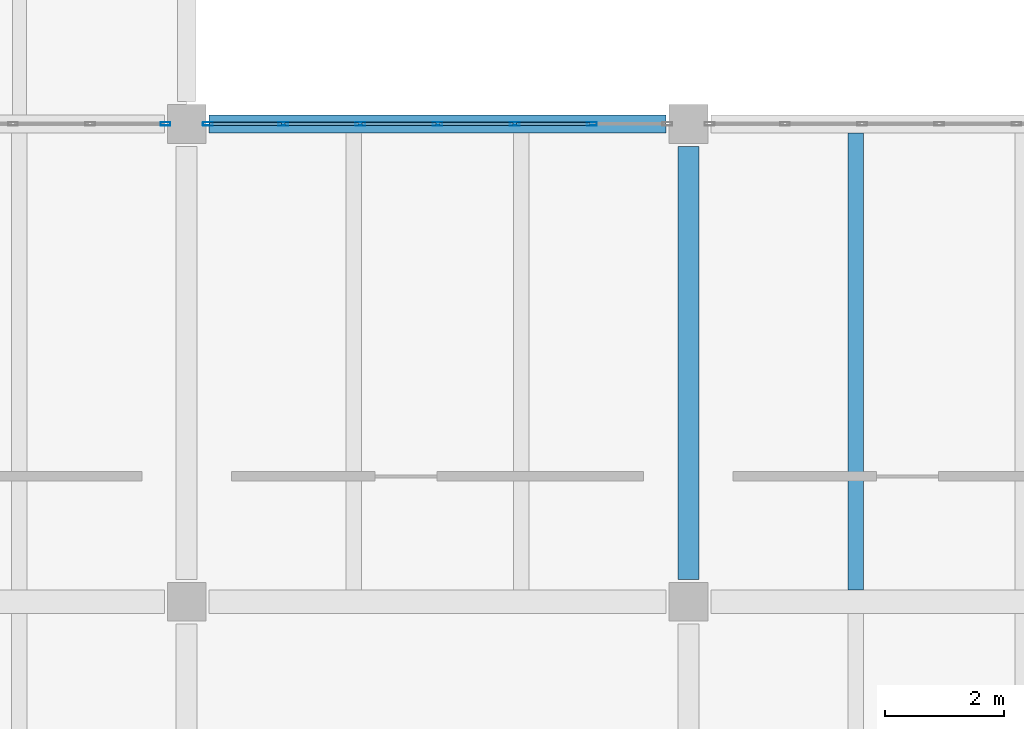
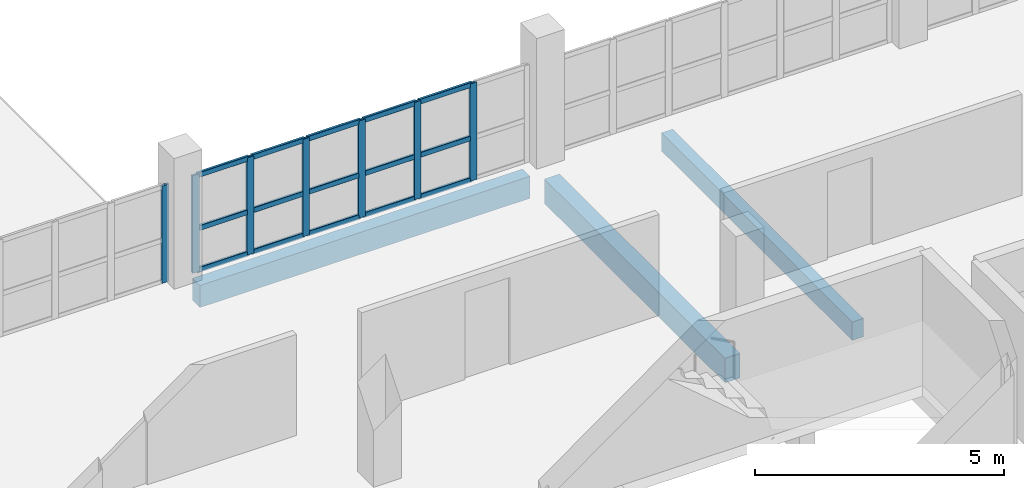
# One storey, part 12 of 33: 22 members, 3 beams, 2 elements without a shape of their own.
"""IFC4 building model written with IfcOpenShell, lengths in metres."""

from ifc_helpers import new_model, si_unit, direction, frame, origin, origin_2d, place, context, subcontext, project, spatial, rectangle, hollow_rectangle, extrude, material, layer, layer_set, material_profile, profile_set, type_object, element, aggregate, save


model = new_model("IFC4")

# Units and contexts
model_context = context("Model", 3, precision=1e-05, world=origin(), true_north=direction((0.0, 1.0)))
body_context = subcontext(model_context, "Body", "Model", "MODEL_VIEW")
ifc_project = project(units=[si_unit("LENGTHUNIT", "METRE"), si_unit("AREAUNIT", "SQUARE_METRE"), si_unit("VOLUMEUNIT", "CUBIC_METRE"), si_unit("PLANEANGLEUNIT", "RADIAN"), si_unit("MASSUNIT", "GRAM", prefix="KILO"), si_unit("THERMODYNAMICTEMPERATUREUNIT", "KELVIN"), si_unit("POWERUNIT", "WATT")], contexts=[model_context])

# Site, building, storey
site_placement = place(None, origin())
site = spatial("IfcSite", under=ifc_project, at=site_placement, CompositionType="ELEMENT")
building_placement = place(site_placement, origin())
building = spatial("IfcBuilding", under=site, at=building_placement, Name="Mavoryth Pier Ferry Terminal", CompositionType="ELEMENT")
storey_placement = place(building_placement, frame((0.0, 0.0, 13.1201171875)))
storey = spatial("IfcBuildingStorey", under=building, at=storey_placement, Name="L03", CompositionType="ELEMENT", Elevation=13.1201171875)

# Beams
ifc_material_1 = material(Name="Concrete C35/45", Category="concrete")
ifc_material_profile_1 = material_profile(ifc_material_1, rectangle(XDim=0.35009765625, YDim=0.60009765625, at=origin_2d()), Name="RC 350x600", Category="concrete")
ifc_profile_set_1 = profile_set([ifc_material_profile_1], Name="Concrete C35/45 - RC 350x600")
beam_type_1 = type_object("IfcBeamType", Name="Girder-RC-350x600", PredefinedType="BEAM", material=ifc_profile_set_1)
beam_1_placement = place(storey_placement, frame((67.199951171875, 14.375, -0.56005859375), z_axis=(0.0, 1.0, 0.0), x_axis=(-1.0, 0.0, 0.0)))
element("IfcBeam", 1, at=beam_1_placement, inside=storey, type_object=beam_type_1, Name="Beam B03-BG08-1268", PredefinedType="BEAM", context=body_context, shape_type="SweptSolid", body=[
    extrude(rectangle(XDim=0.35009765625, YDim=0.60009765625, at=origin_2d()), origin(), (0.0, 0.0, 1.0), 7.25),
])
ifc_material_profile_2 = material_profile(ifc_material_1, rectangle(XDim=0.260009765625, YDim=0.449951171875, at=origin_2d()), Name="RC 260x450", Category="concrete")
ifc_profile_set_2 = profile_set([ifc_material_profile_2], Name="Concrete C35/45 - RC 260x450")
beam_type_2 = type_object("IfcBeamType", Name="Joist-RC-260x450", PredefinedType="JOIST", material=ifc_profile_set_2)
beam_2_placement = place(storey_placement, frame((70.0, 14.199951171875, -0.485107421875), z_axis=(0.0, 1.0, 0.0), x_axis=(-1.0, 0.0, 0.0)))
element("IfcBeam", 2, at=beam_2_placement, inside=storey, type_object=beam_type_2, Name="Beam B03-BJ03-1296", PredefinedType="JOIST", context=body_context, shape_type="SweptSolid", body=[
    extrude(rectangle(XDim=0.260009765625, YDim=0.449951171875, at=origin_2d()), origin(), (0.0, 0.0, 1.0), 7.650146484375),
])

# Curtain wall, member
ifc_material_2 = material(Name="Anodised Aluminium and Solar-Control Low-E Glass", Category="aluminium")
ifc_layer = layer(ifc_material_2, 0.239990234375, Name="Anodised Aluminium and Solar-Control Low-E Glass", Category="aluminium")
ifc_layer_set = layer_set([ifc_layer], Name="Anodised Aluminium and Solar-Control Low-E Glass - CW-Operations-Mod1200")
curtain_wall_type = type_object("IfcCurtainWallType", Name="CW-Operations-Mod1200", PredefinedType="USERDEFINED", material=ifc_layer_set)
curtain_wall_1_placement = place(storey_placement, origin())
curtain_wall_1 = element("IfcCurtainWall", 3, at=curtain_wall_1_placement, inside=storey, type_object=curtain_wall_type, Name="Curtain Wall CW-0322-139", ObjectType="UNITISED CURTAIN WALL", PredefinedType="USERDEFINED")
ifc_material_3 = material(Name="Anodised Aluminium EN AW-6063", Category="aluminium")
ifc_material_profile_3 = material_profile(ifc_material_3, hollow_rectangle(XDim=0.06005859375, YDim=0.1650390625, WallThickness=0.00390625, InnerFilletRadius=0.00390625, OuterFilletRadius=0.008056640625, at=origin_2d()), Name="AL-MULL 165x60x4", Category="aluminium")
ifc_profile_set_3 = profile_set([ifc_material_profile_3], Name="Anodised Aluminium EN AW-6063 - AL-MULL 165x60x4")
member_type_1 = type_object("IfcMemberType", Name="Mullion-Alum-165x60", PredefinedType="MULLION", material=ifc_profile_set_3)
member_1_placement = place(storey_placement, frame((58.445068359375, 22.0, 0.0), z_axis=(0.0, 0.0, 1.0), x_axis=(0.0, -1.0, 0.0)))
member_1 = element("IfcMember", 4, at=member_1_placement, type_object=member_type_1, Name="CW06 mullion 1", PredefinedType="MULLION", context=body_context, shape_type="SweptSolid", body=[
    extrude(hollow_rectangle(XDim=0.06005859375, YDim=0.1650390625, WallThickness=0.00390625, InnerFilletRadius=0.00390625, OuterFilletRadius=0.008056640625, at=origin_2d()), origin(), (0.0, 0.0, 1.0), 2.384765625),
])
aggregate(curtain_wall_1, [member_1])

# Curtain wall, members
curtain_wall_2_placement = place(storey_placement, origin())
curtain_wall_2 = element("IfcCurtainWall", 5, at=curtain_wall_2_placement, inside=storey, type_object=curtain_wall_type, Name="Curtain Wall CW-0322-141", ObjectType="UNITISED CURTAIN WALL", PredefinedType="USERDEFINED")
member_2_placement = place(storey_placement, frame((65.583251953125, 22.0, 0.0), z_axis=(0.0, 0.0, 1.0), x_axis=(0.0, -1.0, 0.0)))
member_2 = element("IfcMember", 6, at=member_2_placement, type_object=member_type_1, Name="CW06 mullion 2", PredefinedType="MULLION", context=body_context, shape_type="SweptSolid", body=[
    extrude(hollow_rectangle(XDim=0.06005859375, YDim=0.1650390625, WallThickness=0.00390625, InnerFilletRadius=0.00390625, OuterFilletRadius=0.008056640625, at=origin_2d()), origin(), (0.0, 0.0, 1.0), 2.384765625),
])
member_3_placement = place(storey_placement, frame((64.291748046875, 22.0, 0.0), z_axis=(0.0, 0.0, 1.0), x_axis=(0.0, -1.0, 0.0)))
member_3 = element("IfcMember", 7, at=member_3_placement, type_object=member_type_1, Name="CW06 mullion 3", PredefinedType="MULLION", context=body_context, shape_type="SweptSolid", body=[
    extrude(hollow_rectangle(XDim=0.06005859375, YDim=0.1650390625, WallThickness=0.00390625, InnerFilletRadius=0.00390625, OuterFilletRadius=0.008056640625, at=origin_2d()), origin(), (0.0, 0.0, 1.0), 2.384765625),
])
member_4_placement = place(storey_placement, frame((63.0, 22.0, 0.0), z_axis=(0.0, 0.0, 1.0), x_axis=(0.0, -1.0, 0.0)))
member_4 = element("IfcMember", 8, at=member_4_placement, type_object=member_type_1, Name="CW06 mullion 4", PredefinedType="MULLION", context=body_context, shape_type="SweptSolid", body=[
    extrude(hollow_rectangle(XDim=0.06005859375, YDim=0.1650390625, WallThickness=0.00390625, InnerFilletRadius=0.00390625, OuterFilletRadius=0.008056640625, at=origin_2d()), origin(), (0.0, 0.0, 1.0), 2.384765625),
])
member_5_placement = place(storey_placement, frame((61.708251953125, 22.0, 0.0), z_axis=(0.0, 0.0, 1.0), x_axis=(0.0, -1.0, 0.0)))
member_5 = element("IfcMember", 9, at=member_5_placement, type_object=member_type_1, Name="CW06 mullion 5", PredefinedType="MULLION", context=body_context, shape_type="SweptSolid", body=[
    extrude(hollow_rectangle(XDim=0.06005859375, YDim=0.1650390625, WallThickness=0.00390625, InnerFilletRadius=0.00390625, OuterFilletRadius=0.008056640625, at=origin_2d()), origin(), (0.0, 0.0, 1.0), 2.384765625),
])
member_6_placement = place(storey_placement, frame((60.416748046875, 22.0, 0.0), z_axis=(0.0, 0.0, 1.0), x_axis=(0.0, -1.0, 0.0)))
member_6 = element("IfcMember", 10, at=member_6_placement, type_object=member_type_1, Name="CW06 mullion 6", PredefinedType="MULLION", context=body_context, shape_type="SweptSolid", body=[
    extrude(hollow_rectangle(XDim=0.06005859375, YDim=0.1650390625, WallThickness=0.00390625, InnerFilletRadius=0.00390625, OuterFilletRadius=0.008056640625, at=origin_2d()), origin(), (0.0, 0.0, 1.0), 2.384765625),
])
member_7_placement = place(storey_placement, frame((59.155029296875, 22.0, 0.0), z_axis=(0.0, 0.0, 1.0), x_axis=(0.0, -1.0, 0.0)))
member_7 = element("IfcMember", 11, at=member_7_placement, type_object=member_type_1, Name="CW06 mullion 7", PredefinedType="MULLION", context=body_context, shape_type="SweptSolid", body=[
    extrude(hollow_rectangle(XDim=0.06005859375, YDim=0.1650390625, WallThickness=0.00390625, InnerFilletRadius=0.00390625, OuterFilletRadius=0.008056640625, at=origin_2d()), origin(), (0.0, 0.0, 1.0), 2.384765625),
])

# Beam
ifc_material_profile_4 = material_profile(ifc_material_1, rectangle(XDim=0.300048828125, YDim=0.5400390625, at=origin_2d()), Name="RC 300x540", Category="concrete")
ifc_profile_set_4 = profile_set([ifc_material_profile_4], Name="Concrete C35/45 - RC 300x540")
beam_type_3 = type_object("IfcBeamType", Name="Spandrel-RC-300x540", PredefinedType="SPANDREL", material=ifc_profile_set_4)
beam_3_placement = place(storey_placement, frame((59.175048828125, 22.0, -0.530029296875), z_axis=(1.0, 0.0, 0.0), x_axis=(0.0, 1.0, 0.0)))
element("IfcBeam", 12, at=beam_3_placement, inside=storey, type_object=beam_type_3, Name="Beam B03-SP02-1253", PredefinedType="SPANDREL", context=body_context, shape_type="SweptSolid", body=[
    extrude(rectangle(XDim=0.300048828125, YDim=0.5400390625, at=origin_2d()), origin(), (0.0, 0.0, 1.0), 7.64990234375),
])

# Member
ifc_material_profile_5 = material_profile(ifc_material_3, hollow_rectangle(XDim=0.06005859375, YDim=0.125, WallThickness=0.00390625, InnerFilletRadius=0.00390625, OuterFilletRadius=0.008056640625, at=origin_2d()), Name="AL-TRAN 125x60x4", Category="aluminium")
ifc_profile_set_5 = profile_set([ifc_material_profile_5], Name="Anodised Aluminium EN AW-6063 - AL-TRAN 125x60x4")
member_type_2 = type_object("IfcMemberType", Name="Transom-Alum-125x60", PredefinedType="USERDEFINED", material=ifc_profile_set_5)
member_8_placement = place(storey_placement, frame((65.55322265625, 22.0, 0.02978515625), z_axis=(-1.0, 0.0, 0.0), x_axis=(0.0, -1.0, 0.0)))
member_8 = element("IfcMember", 13, at=member_8_placement, type_object=member_type_2, Name="CW06 transom 2.1", ObjectType="TRANSOM", PredefinedType="USERDEFINED", context=body_context, shape_type="SweptSolid", body=[
    extrude(hollow_rectangle(XDim=0.06005859375, YDim=0.125, WallThickness=0.00390625, InnerFilletRadius=0.00390625, OuterFilletRadius=0.008056640625, at=origin_2d()), origin(), (0.0, 0.0, 1.0), 1.2314453125),
])

member_9_placement = place(storey_placement, frame((65.55322265625, 22.0, 1.0498046875), z_axis=(-1.0, 0.0, 0.0), x_axis=(0.0, -1.0, 0.0)))
member_9 = element("IfcMember", 14, at=member_9_placement, type_object=member_type_2, Name="CW06 transom 2.2", ObjectType="TRANSOM", PredefinedType="USERDEFINED", context=body_context, shape_type="SweptSolid", body=[
    extrude(hollow_rectangle(XDim=0.06005859375, YDim=0.125, WallThickness=0.00390625, InnerFilletRadius=0.00390625, OuterFilletRadius=0.008056640625, at=origin_2d()), origin(), (0.0, 0.0, 1.0), 1.2314453125),
])

member_10_placement = place(storey_placement, frame((65.55322265625, 22.0, 2.35498046875), z_axis=(-1.0, 0.0, 0.0), x_axis=(0.0, -1.0, 0.0)))
member_10 = element("IfcMember", 15, at=member_10_placement, type_object=member_type_2, Name="CW06 transom 2.3", ObjectType="TRANSOM", PredefinedType="USERDEFINED", context=body_context, shape_type="SweptSolid", body=[
    extrude(hollow_rectangle(XDim=0.06005859375, YDim=0.125, WallThickness=0.00390625, InnerFilletRadius=0.00390625, OuterFilletRadius=0.008056640625, at=origin_2d()), origin(), (0.0, 0.0, 1.0), 1.2314453125),
])

member_11_placement = place(storey_placement, frame((64.26171875, 22.0, 0.02978515625), z_axis=(-1.0, 0.0, 0.0), x_axis=(0.0, -1.0, 0.0)))
member_11 = element("IfcMember", 16, at=member_11_placement, type_object=member_type_2, Name="CW06 transom 3.1", ObjectType="TRANSOM", PredefinedType="USERDEFINED", context=body_context, shape_type="SweptSolid", body=[
    extrude(hollow_rectangle(XDim=0.06005859375, YDim=0.125, WallThickness=0.00390625, InnerFilletRadius=0.00390625, OuterFilletRadius=0.008056640625, at=origin_2d()), origin(), (0.0, 0.0, 1.0), 1.231689453125),
])

member_12_placement = place(storey_placement, frame((64.26171875, 22.0, 1.0498046875), z_axis=(-1.0, 0.0, 0.0), x_axis=(0.0, -1.0, 0.0)))
member_12 = element("IfcMember", 17, at=member_12_placement, type_object=member_type_2, Name="CW06 transom 3.2", ObjectType="TRANSOM", PredefinedType="USERDEFINED", context=body_context, shape_type="SweptSolid", body=[
    extrude(hollow_rectangle(XDim=0.06005859375, YDim=0.125, WallThickness=0.00390625, InnerFilletRadius=0.00390625, OuterFilletRadius=0.008056640625, at=origin_2d()), origin(), (0.0, 0.0, 1.0), 1.231689453125),
])

member_13_placement = place(storey_placement, frame((64.26171875, 22.0, 2.35498046875), z_axis=(-1.0, 0.0, 0.0), x_axis=(0.0, -1.0, 0.0)))
member_13 = element("IfcMember", 18, at=member_13_placement, type_object=member_type_2, Name="CW06 transom 3.3", ObjectType="TRANSOM", PredefinedType="USERDEFINED", context=body_context, shape_type="SweptSolid", body=[
    extrude(hollow_rectangle(XDim=0.06005859375, YDim=0.125, WallThickness=0.00390625, InnerFilletRadius=0.00390625, OuterFilletRadius=0.008056640625, at=origin_2d()), origin(), (0.0, 0.0, 1.0), 1.231689453125),
])

member_14_placement = place(storey_placement, frame((62.969970703125, 22.0, 0.02978515625), z_axis=(-1.0, 0.0, 0.0), x_axis=(0.0, -1.0, 0.0)))
member_14 = element("IfcMember", 19, at=member_14_placement, type_object=member_type_2, Name="CW06 transom 4.1", ObjectType="TRANSOM", PredefinedType="USERDEFINED", context=body_context, shape_type="SweptSolid", body=[
    extrude(hollow_rectangle(XDim=0.06005859375, YDim=0.125, WallThickness=0.00390625, InnerFilletRadius=0.00390625, OuterFilletRadius=0.008056640625, at=origin_2d()), origin(), (0.0, 0.0, 1.0), 1.231689453125),
])

member_15_placement = place(storey_placement, frame((62.969970703125, 22.0, 1.0498046875), z_axis=(-1.0, 0.0, 0.0), x_axis=(0.0, -1.0, 0.0)))
member_15 = element("IfcMember", 20, at=member_15_placement, type_object=member_type_2, Name="CW06 transom 4.2", ObjectType="TRANSOM", PredefinedType="USERDEFINED", context=body_context, shape_type="SweptSolid", body=[
    extrude(hollow_rectangle(XDim=0.06005859375, YDim=0.125, WallThickness=0.00390625, InnerFilletRadius=0.00390625, OuterFilletRadius=0.008056640625, at=origin_2d()), origin(), (0.0, 0.0, 1.0), 1.231689453125),
])

member_16_placement = place(storey_placement, frame((62.969970703125, 22.0, 2.35498046875), z_axis=(-1.0, 0.0, 0.0), x_axis=(0.0, -1.0, 0.0)))
member_16 = element("IfcMember", 21, at=member_16_placement, type_object=member_type_2, Name="CW06 transom 4.3", ObjectType="TRANSOM", PredefinedType="USERDEFINED", context=body_context, shape_type="SweptSolid", body=[
    extrude(hollow_rectangle(XDim=0.06005859375, YDim=0.125, WallThickness=0.00390625, InnerFilletRadius=0.00390625, OuterFilletRadius=0.008056640625, at=origin_2d()), origin(), (0.0, 0.0, 1.0), 1.231689453125),
])

member_17_placement = place(storey_placement, frame((61.67822265625, 22.0, 0.02978515625), z_axis=(-1.0, 0.0, 0.0), x_axis=(0.0, -1.0, 0.0)))
member_17 = element("IfcMember", 22, at=member_17_placement, type_object=member_type_2, Name="CW06 transom 5.1", ObjectType="TRANSOM", PredefinedType="USERDEFINED", context=body_context, shape_type="SweptSolid", body=[
    extrude(hollow_rectangle(XDim=0.06005859375, YDim=0.125, WallThickness=0.00390625, InnerFilletRadius=0.00390625, OuterFilletRadius=0.008056640625, at=origin_2d()), origin(), (0.0, 0.0, 1.0), 1.2314453125),
])

member_18_placement = place(storey_placement, frame((61.67822265625, 22.0, 1.0498046875), z_axis=(-1.0, 0.0, 0.0), x_axis=(0.0, -1.0, 0.0)))
member_18 = element("IfcMember", 23, at=member_18_placement, type_object=member_type_2, Name="CW06 transom 5.2", ObjectType="TRANSOM", PredefinedType="USERDEFINED", context=body_context, shape_type="SweptSolid", body=[
    extrude(hollow_rectangle(XDim=0.06005859375, YDim=0.125, WallThickness=0.00390625, InnerFilletRadius=0.00390625, OuterFilletRadius=0.008056640625, at=origin_2d()), origin(), (0.0, 0.0, 1.0), 1.2314453125),
])

member_19_placement = place(storey_placement, frame((61.67822265625, 22.0, 2.35498046875), z_axis=(-1.0, 0.0, 0.0), x_axis=(0.0, -1.0, 0.0)))
member_19 = element("IfcMember", 24, at=member_19_placement, type_object=member_type_2, Name="CW06 transom 5.3", ObjectType="TRANSOM", PredefinedType="USERDEFINED", context=body_context, shape_type="SweptSolid", body=[
    extrude(hollow_rectangle(XDim=0.06005859375, YDim=0.125, WallThickness=0.00390625, InnerFilletRadius=0.00390625, OuterFilletRadius=0.008056640625, at=origin_2d()), origin(), (0.0, 0.0, 1.0), 1.2314453125),
])

member_20_placement = place(storey_placement, frame((60.38671875, 22.0, 0.02978515625), z_axis=(-1.0, 0.0, 0.0), x_axis=(0.0, -1.0, 0.0)))
member_20 = element("IfcMember", 25, at=member_20_placement, type_object=member_type_2, Name="CW06 transom 6.1", ObjectType="TRANSOM", PredefinedType="USERDEFINED", context=body_context, shape_type="SweptSolid", body=[
    extrude(hollow_rectangle(XDim=0.06005859375, YDim=0.125, WallThickness=0.00390625, InnerFilletRadius=0.00390625, OuterFilletRadius=0.008056640625, at=origin_2d()), origin(), (0.0, 0.0, 1.0), 1.20166015625),
])

member_21_placement = place(storey_placement, frame((60.38671875, 22.0, 1.0498046875), z_axis=(-1.0, 0.0, 0.0), x_axis=(0.0, -1.0, 0.0)))
member_21 = element("IfcMember", 26, at=member_21_placement, type_object=member_type_2, Name="CW06 transom 6.2", ObjectType="TRANSOM", PredefinedType="USERDEFINED", context=body_context, shape_type="SweptSolid", body=[
    extrude(hollow_rectangle(XDim=0.06005859375, YDim=0.125, WallThickness=0.00390625, InnerFilletRadius=0.00390625, OuterFilletRadius=0.008056640625, at=origin_2d()), origin(), (0.0, 0.0, 1.0), 1.20166015625),
])

member_22_placement = place(storey_placement, frame((60.38671875, 22.0, 2.35498046875), z_axis=(-1.0, 0.0, 0.0), x_axis=(0.0, -1.0, 0.0)))
member_22 = element("IfcMember", 27, at=member_22_placement, type_object=member_type_2, Name="CW06 transom 6.3", ObjectType="TRANSOM", PredefinedType="USERDEFINED", context=body_context, shape_type="SweptSolid", body=[
    extrude(hollow_rectangle(XDim=0.06005859375, YDim=0.125, WallThickness=0.00390625, InnerFilletRadius=0.00390625, OuterFilletRadius=0.008056640625, at=origin_2d()), origin(), (0.0, 0.0, 1.0), 1.20166015625),
])

aggregate(curtain_wall_2, [member_2, member_3, member_4, member_5, member_6, member_7, member_8, member_9, member_10, member_11, member_12, member_13, member_14, member_15, member_16, member_17, member_18, member_19, member_20, member_21, member_22])

save(model, "model.ifc")
